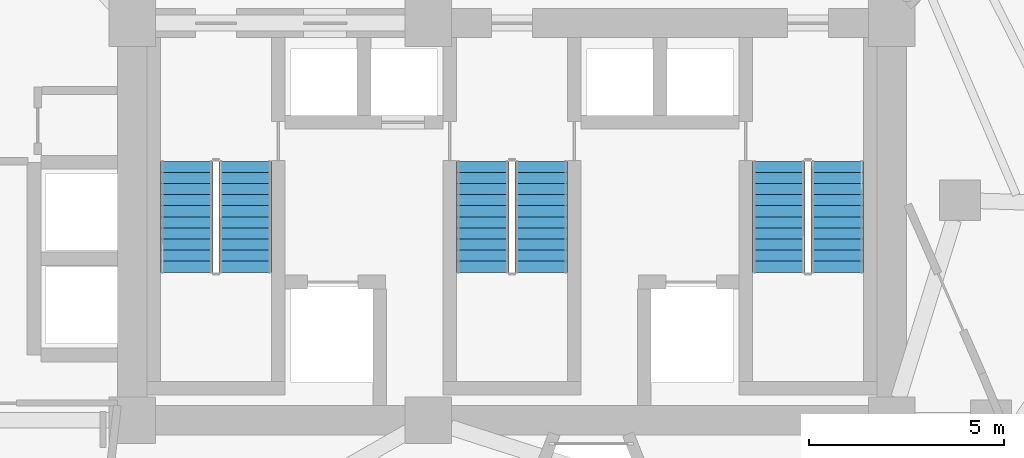
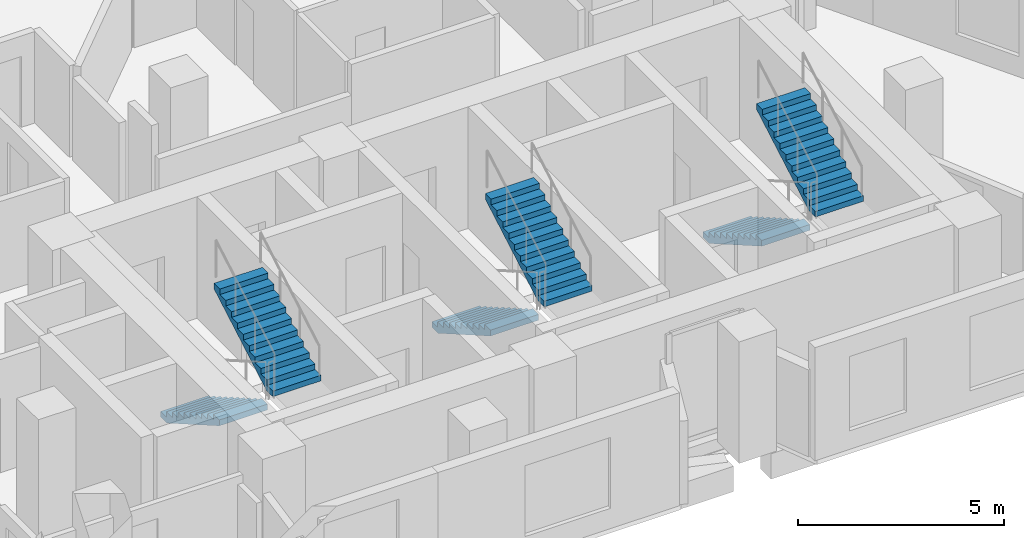
# One storey, part 9 of 10: 6 stair flights, 3 elements without a shape of their own.
"""IFC4 building model written with IfcOpenShell, lengths in metres."""

from ifc_helpers import new_model, si_unit, direction, frame, origin, place, context, subcontext, project, spatial, polyline, outline, extrude, material, type_object, element, aggregate, save


model = new_model("IFC4")

# Units and contexts
model_context = context("Model", 3, precision=1e-05, world=origin(), true_north=direction((0.0, 1.0)))
body_context = subcontext(model_context, "Body", "Model", "MODEL_VIEW")
ifc_project = project(units=[si_unit("LENGTHUNIT", "METRE"), si_unit("AREAUNIT", "SQUARE_METRE"), si_unit("VOLUMEUNIT", "CUBIC_METRE"), si_unit("PLANEANGLEUNIT", "RADIAN"), si_unit("MASSUNIT", "GRAM", prefix="KILO")], contexts=[model_context])

# Site, building, storey
site_placement = place(None, origin())
site = spatial("IfcSite", under=ifc_project, at=site_placement, CompositionType="ELEMENT")
building_placement = place(site_placement, origin())
building = spatial("IfcBuilding", under=site, at=building_placement, Name="Almagre Mirador Tower", CompositionType="ELEMENT")
storey_placement = place(building_placement, frame((0.0, 0.0, 186.0)))
storey = spatial("IfcBuildingStorey", under=building, at=storey_placement, Name="L48", CompositionType="ELEMENT", Elevation=186.0)

# Stair, stair flights
ifc_material_1 = material(Name="Concrete C45/55", Category="concrete")
stair_type = type_object("IfcStairType", Name="STR-DL-3600", PredefinedType="HALF_TURN_STAIR", material=ifc_material_1)
stair_1_placement = place(storey_placement, origin())
stair_1 = element("IfcStair", 1, at=stair_1_placement, inside=storey, type_object=stair_type, Name="L48 Protected exit stair ST-1", PredefinedType="HALF_TURN_STAIR")
ifc_material_2 = material(Name="Concrete C45/55", Category="concrete")
stair_flight_type = type_object("IfcStairFlightType", Name="FLT-DL-3600", PredefinedType="STRAIGHT", material=ifc_material_2)
stair_flight_1_placement = place(storey_placement, frame((28.949951171875, 11.199951171875, 0.0), z_axis=(0.0, 0.0, 1.0), x_axis=(0.0, -1.0, 0.0)))
stair_flight_1 = element("IfcStairFlight", 2, at=stair_flight_1_placement, type_object=stair_flight_type, Name="ST-1 flight 1", NumberOfRisers=11, NumberOfTreads=10, PredefinedType="STRAIGHT", RiserHeight=0.163636364, TreadLength=0.285, context=body_context, shape_type="SweptSolid", body=[
    extrude(outline(polyline([(0.0, 0.0), (0.0, 0.16357421875), (0.284912109375, 0.16357421875), (0.284912109375, 0.327392578125), (0.570068359375, 0.327392578125), (0.570068359375, 0.490966796875), (0.85498046875, 0.490966796875), (0.85498046875, 0.654541015625), (1.139892578125, 0.654541015625), (1.139892578125, 0.818115234375), (1.425048828125, 0.818115234375), (1.425048828125, 0.98193359375), (1.7099609375, 0.98193359375), (1.7099609375, 1.1455078125), (1.9951171875, 1.1455078125), (1.9951171875, 1.30908203125), (2.280029296875, 1.30908203125), (2.280029296875, 1.47265625), (2.56494140625, 1.47265625), (2.56494140625, 1.636474609375), (2.85009765625, 1.636474609375), (2.85009765625, 1.800048828125), (2.85009765625, 1.463623046875), (0.301025390625, 0.0), (0.0, 0.0)])), frame((0.0, 0.675048828125, 0.0), z_axis=(0.0, -1.0, 0.0), x_axis=(1.0, 0.0, 0.0)), (0.0, 0.0, 1.0), 1.35009765625),
])
stair_flight_2_placement = place(storey_placement, frame((30.449951171875, 8.35009765625, 1.800048828125), z_axis=(0.0, 0.0, 1.0), x_axis=(0.0, 1.0, 0.0)))
stair_flight_2 = element("IfcStairFlight", 3, at=stair_flight_2_placement, type_object=stair_flight_type, Name="ST-1 flight 2", NumberOfRisers=11, NumberOfTreads=10, PredefinedType="STRAIGHT", RiserHeight=0.163636364, TreadLength=0.285, context=body_context, shape_type="SweptSolid", body=[
    extrude(outline(polyline([(0.0, 0.0), (0.0, 0.16357421875), (0.284912109375, 0.16357421875), (0.284912109375, 0.327392578125), (0.570068359375, 0.327392578125), (0.570068359375, 0.490966796875), (0.85498046875, 0.490966796875), (0.85498046875, 0.654541015625), (1.139892578125, 0.654541015625), (1.139892578125, 0.818115234375), (1.425048828125, 0.818115234375), (1.425048828125, 0.98193359375), (1.7099609375, 0.98193359375), (1.7099609375, 1.1455078125), (1.9951171875, 1.1455078125), (1.9951171875, 1.30908203125), (2.280029296875, 1.30908203125), (2.280029296875, 1.47265625), (2.56494140625, 1.47265625), (2.56494140625, 1.636474609375), (2.85009765625, 1.636474609375), (2.85009765625, 1.800048828125), (2.85009765625, 1.463623046875), (0.301025390625, 0.0), (0.0, 0.0)])), frame((0.0, 0.675048828125, 0.0), z_axis=(0.0, -1.0, 0.0), x_axis=(1.0, 0.0, 0.0)), (0.0, 0.0, 1.0), 1.35009765625),
])
aggregate(stair_1, [stair_flight_1, stair_flight_2])

stair_2_placement = place(storey_placement, origin())
stair_2 = element("IfcStair", 4, at=stair_2_placement, inside=storey, type_object=stair_type, Name="L48 Protected exit stair ST-2", PredefinedType="HALF_TURN_STAIR")
stair_flight_3_placement = place(storey_placement, frame((36.550048828125, 11.199951171875, 0.0), z_axis=(0.0, 0.0, 1.0), x_axis=(0.0, -1.0, 0.0)))
stair_flight_3 = element("IfcStairFlight", 5, at=stair_flight_3_placement, type_object=stair_flight_type, Name="ST-2 flight 1", NumberOfRisers=11, NumberOfTreads=10, PredefinedType="STRAIGHT", RiserHeight=0.163636364, TreadLength=0.285, context=body_context, shape_type="SweptSolid", body=[
    extrude(outline(polyline([(0.0, 0.0), (0.0, 0.16357421875), (0.284912109375, 0.16357421875), (0.284912109375, 0.327392578125), (0.570068359375, 0.327392578125), (0.570068359375, 0.490966796875), (0.85498046875, 0.490966796875), (0.85498046875, 0.654541015625), (1.139892578125, 0.654541015625), (1.139892578125, 0.818115234375), (1.425048828125, 0.818115234375), (1.425048828125, 0.98193359375), (1.7099609375, 0.98193359375), (1.7099609375, 1.1455078125), (1.9951171875, 1.1455078125), (1.9951171875, 1.30908203125), (2.280029296875, 1.30908203125), (2.280029296875, 1.47265625), (2.56494140625, 1.47265625), (2.56494140625, 1.636474609375), (2.85009765625, 1.636474609375), (2.85009765625, 1.800048828125), (2.85009765625, 1.463623046875), (0.301025390625, 0.0), (0.0, 0.0)])), frame((0.0, 0.675048828125, 0.0), z_axis=(0.0, -1.0, 0.0), x_axis=(1.0, 0.0, 0.0)), (0.0, 0.0, 1.0), 1.35009765625),
])
stair_flight_4_placement = place(storey_placement, frame((38.050048828125, 8.35009765625, 1.800048828125), z_axis=(0.0, 0.0, 1.0), x_axis=(0.0, 1.0, 0.0)))
stair_flight_4 = element("IfcStairFlight", 6, at=stair_flight_4_placement, type_object=stair_flight_type, Name="ST-2 flight 2", NumberOfRisers=11, NumberOfTreads=10, PredefinedType="STRAIGHT", RiserHeight=0.163636364, TreadLength=0.285, context=body_context, shape_type="SweptSolid", body=[
    extrude(outline(polyline([(0.0, 0.0), (0.0, 0.16357421875), (0.284912109375, 0.16357421875), (0.284912109375, 0.327392578125), (0.570068359375, 0.327392578125), (0.570068359375, 0.490966796875), (0.85498046875, 0.490966796875), (0.85498046875, 0.654541015625), (1.139892578125, 0.654541015625), (1.139892578125, 0.818115234375), (1.425048828125, 0.818115234375), (1.425048828125, 0.98193359375), (1.7099609375, 0.98193359375), (1.7099609375, 1.1455078125), (1.9951171875, 1.1455078125), (1.9951171875, 1.30908203125), (2.280029296875, 1.30908203125), (2.280029296875, 1.47265625), (2.56494140625, 1.47265625), (2.56494140625, 1.636474609375), (2.85009765625, 1.636474609375), (2.85009765625, 1.800048828125), (2.85009765625, 1.463623046875), (0.301025390625, 0.0), (0.0, 0.0)])), frame((0.0, 0.675048828125, 0.0), z_axis=(0.0, -1.0, 0.0), x_axis=(1.0, 0.0, 0.0)), (0.0, 0.0, 1.0), 1.35009765625),
])
aggregate(stair_2, [stair_flight_3, stair_flight_4])

stair_3_placement = place(storey_placement, origin())
stair_3 = element("IfcStair", 7, at=stair_3_placement, inside=storey, type_object=stair_type, Name="L48 Protected exit stair ST-3", PredefinedType="HALF_TURN_STAIR")
stair_flight_5_placement = place(storey_placement, frame((44.14990234375, 11.199951171875, 0.0), z_axis=(0.0, 0.0, 1.0), x_axis=(0.0, -1.0, 0.0)))
stair_flight_5 = element("IfcStairFlight", 8, at=stair_flight_5_placement, type_object=stair_flight_type, Name="ST-3 flight 1", NumberOfRisers=11, NumberOfTreads=10, PredefinedType="STRAIGHT", RiserHeight=0.163636364, TreadLength=0.285, context=body_context, shape_type="SweptSolid", body=[
    extrude(outline(polyline([(0.0, 0.0), (0.0, 0.16357421875), (0.284912109375, 0.16357421875), (0.284912109375, 0.327392578125), (0.570068359375, 0.327392578125), (0.570068359375, 0.490966796875), (0.85498046875, 0.490966796875), (0.85498046875, 0.654541015625), (1.139892578125, 0.654541015625), (1.139892578125, 0.818115234375), (1.425048828125, 0.818115234375), (1.425048828125, 0.98193359375), (1.7099609375, 0.98193359375), (1.7099609375, 1.1455078125), (1.9951171875, 1.1455078125), (1.9951171875, 1.30908203125), (2.280029296875, 1.30908203125), (2.280029296875, 1.47265625), (2.56494140625, 1.47265625), (2.56494140625, 1.636474609375), (2.85009765625, 1.636474609375), (2.85009765625, 1.800048828125), (2.85009765625, 1.463623046875), (0.301025390625, 0.0), (0.0, 0.0)])), frame((0.0, 0.675048828125, 0.0), z_axis=(0.0, -1.0, 0.0), x_axis=(1.0, 0.0, 0.0)), (0.0, 0.0, 1.0), 1.35009765625),
])
stair_flight_6_placement = place(storey_placement, frame((45.64990234375, 8.35009765625, 1.800048828125), z_axis=(0.0, 0.0, 1.0), x_axis=(0.0, 1.0, 0.0)))
stair_flight_6 = element("IfcStairFlight", 9, at=stair_flight_6_placement, type_object=stair_flight_type, Name="ST-3 flight 2", NumberOfRisers=11, NumberOfTreads=10, PredefinedType="STRAIGHT", RiserHeight=0.163636364, TreadLength=0.285, context=body_context, shape_type="SweptSolid", body=[
    extrude(outline(polyline([(0.0, 0.0), (0.0, 0.16357421875), (0.284912109375, 0.16357421875), (0.284912109375, 0.327392578125), (0.570068359375, 0.327392578125), (0.570068359375, 0.490966796875), (0.85498046875, 0.490966796875), (0.85498046875, 0.654541015625), (1.139892578125, 0.654541015625), (1.139892578125, 0.818115234375), (1.425048828125, 0.818115234375), (1.425048828125, 0.98193359375), (1.7099609375, 0.98193359375), (1.7099609375, 1.1455078125), (1.9951171875, 1.1455078125), (1.9951171875, 1.30908203125), (2.280029296875, 1.30908203125), (2.280029296875, 1.47265625), (2.56494140625, 1.47265625), (2.56494140625, 1.636474609375), (2.85009765625, 1.636474609375), (2.85009765625, 1.800048828125), (2.85009765625, 1.463623046875), (0.301025390625, 0.0), (0.0, 0.0)])), frame((0.0, 0.675048828125, 0.0), z_axis=(0.0, -1.0, 0.0), x_axis=(1.0, 0.0, 0.0)), (0.0, 0.0, 1.0), 1.35009765625),
])
aggregate(stair_3, [stair_flight_5, stair_flight_6])

save(model, "model.ifc")
